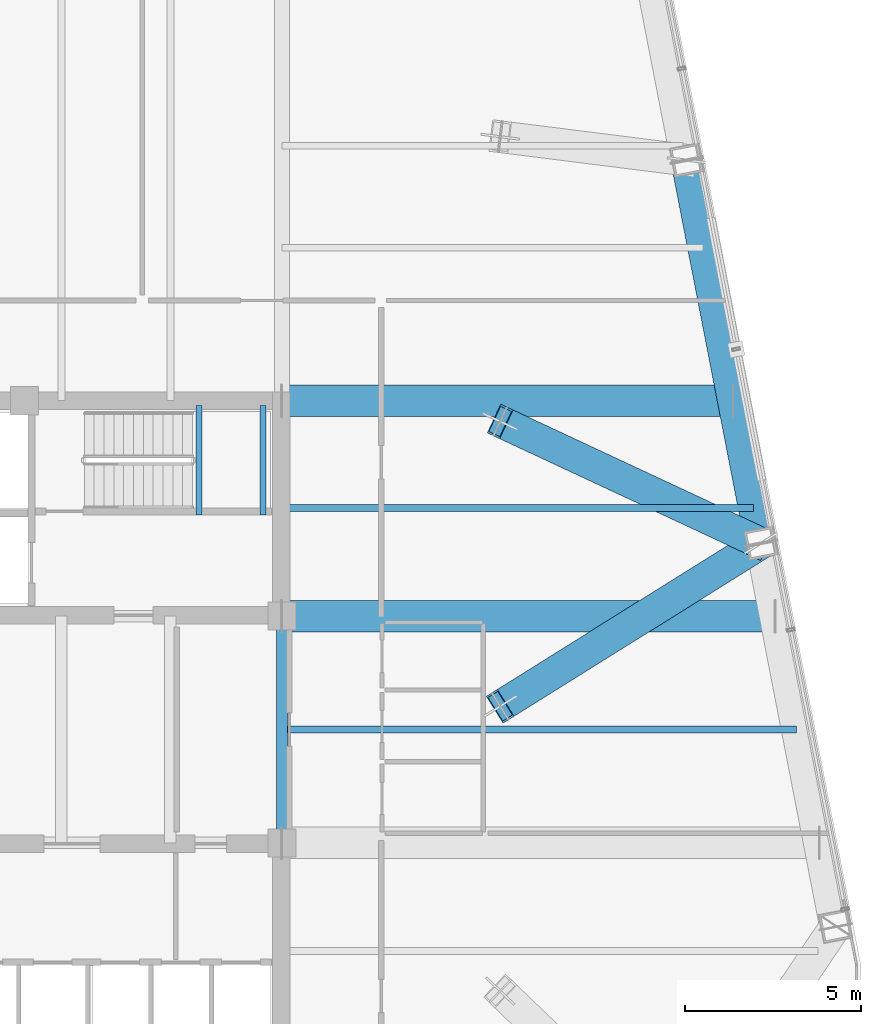
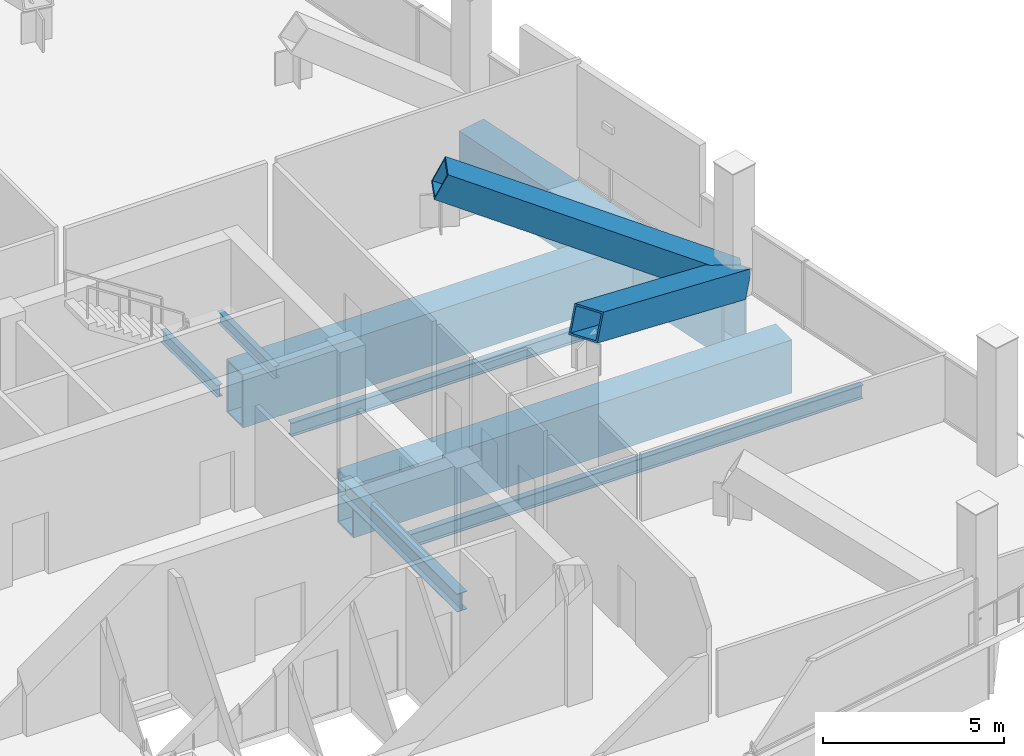
# One storey, part 9 of 26: 8 beams, 2 members.
"""IFC4 building model written with IfcOpenShell, lengths in metres."""

from ifc_helpers import new_model, si_unit, direction, frame, origin, origin_2d, place, context, subcontext, project, spatial, hollow_rectangle, i_section, extrude, material, material_profile, profile_set, type_object, element, save


model = new_model("IFC4")

# Units and contexts
model_context = context("Model", 3, precision=1e-05, world=origin(), true_north=direction((0.0, 1.0)))
body_context = subcontext(model_context, "Body", "Model", "MODEL_VIEW")
ifc_project = project(units=[si_unit("LENGTHUNIT", "METRE"), si_unit("AREAUNIT", "SQUARE_METRE"), si_unit("VOLUMEUNIT", "CUBIC_METRE"), si_unit("PLANEANGLEUNIT", "RADIAN"), si_unit("MASSUNIT", "GRAM", prefix="KILO")], contexts=[model_context])

# Site, building, storey
site_placement = place(None, origin())
site = spatial("IfcSite", under=ifc_project, at=site_placement, CompositionType="ELEMENT")
building_placement = place(site_placement, origin())
building = spatial("IfcBuilding", under=site, at=building_placement, Name="Qhalaya Broadcast Tower", CompositionType="ELEMENT")
storey_placement = place(building_placement, frame((0.0, 0.0, 140.25)))
storey = spatial("IfcBuildingStorey", under=building, at=storey_placement, Name="L41", CompositionType="ELEMENT", Elevation=140.25)

# Beams
ifc_material_1 = material(Name="Structural Steel ASTM A572 Grade 50", Category="steel")
ifc_material_profile_1 = material_profile(ifc_material_1, hollow_rectangle(XDim=0.89990234375, YDim=1.800048828125, WallThickness=0.06005859375, at=origin_2d()), Name="BOX 900x1800x60")
ifc_profile_set_1 = profile_set([ifc_material_profile_1], Name="Structural Steel ASTM A572 Grade 50")
beam_type_1 = type_object("IfcBeamType", Name="Block Cantilever Transfer Box Girder TG1", PredefinedType="USERDEFINED", material=ifc_profile_set_1)
beam_1_placement = place(storey_placement, frame((22.998291015625, 5.896484375, -1.1201171875), z_axis=(-0.190804900759, 0.981627979352, 0.0), x_axis=(-0.981627979352, -0.190804900759, 0.0)))
element("IfcBeam", 1, at=beam_1_placement, inside=storey, type_object=beam_type_1, Name="L41 TG1 L41-SPR-06", ObjectType="GIRDER", PredefinedType="USERDEFINED", context=body_context, shape_type="SweptSolid", body=[
    extrude(hollow_rectangle(XDim=0.89990234375, YDim=1.800048828125, WallThickness=0.06005859375, at=origin_2d()), origin(), (0.0, 0.0, 1.0), 11.099853515625),
])
beam_2_placement = place(storey_placement, frame((9.375, 3.824951171875, -1.1201171875), z_axis=(1.0, 0.0, 0.0), x_axis=(0.0, 1.0, 0.0)))
element("IfcBeam", 2, at=beam_2_placement, inside=storey, type_object=beam_type_1, Name="L41 TG1 L41-PGYE3-1", ObjectType="GIRDER", PredefinedType="USERDEFINED", context=body_context, shape_type="SweptSolid", body=[
    extrude(hollow_rectangle(XDim=0.89990234375, YDim=1.800048828125, WallThickness=0.06005859375, at=origin_2d()), origin(), (0.0, 0.0, 1.0), 14.005615234375),
])
beam_3_placement = place(storey_placement, frame((9.375, 9.949951171875, -1.1201171875), z_axis=(1.0, 0.0, 0.0), x_axis=(0.0, 1.0, 0.0)))
element("IfcBeam", 3, at=beam_3_placement, inside=storey, type_object=beam_type_1, Name="L41 TG1 L41-PGYE4-1", ObjectType="GIRDER", PredefinedType="USERDEFINED", context=body_context, shape_type="SweptSolid", body=[
    extrude(hollow_rectangle(XDim=0.89990234375, YDim=1.800048828125, WallThickness=0.06005859375, at=origin_2d()), origin(), (0.0, 0.0, 1.0), 12.815185546875),
])
ifc_material_2 = material(Name="Structural Steel ASTM A992 Grade 50", Category="steel")
ifc_material_profile_2 = material_profile(ifc_material_2, i_section(OverallWidth=0.19189453125, OverallDepth=0.462890625, WebThickness=0.010498046875, FlangeThickness=0.017578125, at=origin_2d()), Name="W18X60")
ifc_profile_set_2 = profile_set([ifc_material_profile_2], Name="Structural Steel ASTM A992 Grade 50")
beam_type_2 = type_object("IfcBeamType", Name="Composite Floor Joist J03", PredefinedType="JOIST", material=ifc_profile_set_2)
beam_4_placement = place(storey_placement, frame((9.375, 0.60009765625, -0.451416015625), z_axis=(1.0, 0.0, 0.0), x_axis=(0.0, 1.0, 0.0)))
element("IfcBeam", 4, at=beam_4_placement, inside=storey, type_object=beam_type_2, Name="L41 J03 L41-JWE4E-1", PredefinedType="JOIST", context=body_context, shape_type="SweptSolid", body=[
    extrude(i_section(OverallWidth=0.19189453125, OverallDepth=0.462890625, WebThickness=0.010498046875, FlangeThickness=0.017578125, at=origin_2d()), origin(), (0.0, 0.0, 1.0), 14.632568359375),
])
beam_5_placement = place(storey_placement, frame((9.375, 6.89990234375, -0.451416015625), z_axis=(1.0, 0.0, 0.0), x_axis=(0.0, 1.0, 0.0)))
element("IfcBeam", 5, at=beam_5_placement, inside=storey, type_object=beam_type_2, Name="L41 J03 L41-JWE5E-1", PredefinedType="JOIST", context=body_context, shape_type="SweptSolid", body=[
    extrude(i_section(OverallWidth=0.19189453125, OverallDepth=0.462890625, WebThickness=0.010498046875, FlangeThickness=0.017578125, at=origin_2d()), origin(), (0.0, 0.0, 1.0), 13.407958984375),
])
ifc_material_profile_3 = material_profile(ifc_material_2, i_section(OverallWidth=0.323974609375, OverallDepth=0.612060546875, WebThickness=0.0126953125, FlangeThickness=0.01904296875, at=origin_2d()), Name="W24X104")
ifc_profile_set_3 = profile_set([ifc_material_profile_3], Name="Structural Steel ASTM A992 Grade 50")
beam_type_3 = type_object("IfcBeamType", Name="Core Frame Tie Beam B04", PredefinedType="BEAM", material=ifc_profile_set_3)
beam_6_placement = place(storey_placement, frame((9.375, -2.625, -0.52587890625), z_axis=(0.0, 1.0, 0.0), x_axis=(-1.0, 0.0, 0.0)))
element("IfcBeam", 6, at=beam_6_placement, inside=storey, type_object=beam_type_3, Name="L41 B04 L41-CCE", PredefinedType="BEAM", context=body_context, shape_type="SweptSolid", body=[
    extrude(i_section(OverallWidth=0.323974609375, OverallDepth=0.612060546875, WebThickness=0.0126953125, FlangeThickness=0.01904296875, at=origin_2d()), origin(), (0.0, 0.0, 1.0), 6.449951171875),
])

# Members
ifc_material_profile_4 = material_profile(ifc_material_1, hollow_rectangle(XDim=0.89990234375, YDim=0.89990234375, WallThickness=0.054931640625, at=origin_2d()), Name="BOX 900x900x55")
ifc_profile_set_4 = profile_set([ifc_material_profile_4], Name="Structural Steel ASTM A572 Grade 50")
member_type = type_object("IfcMemberType", Name="Heavy Exoskeleton Transfer Strut RK1", PredefinedType="BRACE", material=ifc_profile_set_4)
member_1_placement = place(storey_placement, frame((22.998291015625, 5.896484375, 0.42041015625), z_axis=(-0.773531553111, -0.483466767324, 0.409766788839), x_axis=(0.530006465815, -0.847993600326, 0.0)))
element("IfcMember", 7, at=member_1_placement, inside=storey, type_object=member_type, Name="L41 Inclined Exoskeleton Transfer Strut 06", PredefinedType="BRACE", context=body_context, shape_type="SweptSolid", body=[
    extrude(hollow_rectangle(XDim=0.89990234375, YDim=0.89990234375, WallThickness=0.054931640625, at=origin_2d()), origin(), (0.0, 0.0, 1.0), 9.590087890625),
])
member_2_placement = place(storey_placement, frame((22.998291015625, 5.896484375, 0.41552734375), z_axis=(-0.816681680654, 0.38131522144, 0.43316248035), x_axis=(-0.423065033711, -0.90609931975, 0.0)))
element("IfcMember", 8, at=member_2_placement, inside=storey, type_object=member_type, Name="L41 Inclined Exoskeleton Transfer Strut 07", PredefinedType="BRACE", context=body_context, shape_type="SweptSolid", body=[
    extrude(hollow_rectangle(XDim=0.89990234375, YDim=0.89990234375, WallThickness=0.054931640625, at=origin_2d()), origin(), (0.0, 0.0, 1.0), 9.083251953125),
])

# Beams
ifc_material_profile_5 = material_profile(ifc_material_2, i_section(OverallWidth=0.177978515625, OverallDepth=0.406005859375, WebThickness=0.0078125, FlangeThickness=0.0126953125, at=origin_2d()), Name="W16X40")
ifc_profile_set_5 = profile_set([ifc_material_profile_5], Name="Structural Steel ASTM A992 Grade 50")
beam_type_4 = type_object("IfcBeamType", Name="Upper Perimeter Spandrel Beam SP2", PredefinedType="SPANDREL", material=ifc_profile_set_5)
for number, where, z_axis, x_axis, name in (
    (9, (7.014892578125, 6.699951171875, 1.77197265625), (0.0, 1.0, 0.0), (-1.0, 0.0, 0.0), "L41 ST-1 Half-Landing Bearer Beam 1"),
    (10, (8.830078125, 6.699951171875, 1.77197265625), (0.0, 1.0, 0.0), (-1.0, 0.0, 0.0), "L41 ST-1 Half-Landing Bearer Beam 2"),
):
    element("IfcBeam", number, at=place(storey_placement, frame(where, z_axis=z_axis, x_axis=x_axis)), inside=storey, type_object=beam_type_4, Name=name, PredefinedType="SPANDREL", context=body_context, shape_type="SweptSolid", body=[
        extrude(i_section(OverallWidth=0.177978515625, OverallDepth=0.406005859375, WebThickness=0.0078125, FlangeThickness=0.0126953125, at=origin_2d()), origin(), (0.0, 0.0, 1.0), 3.1201171875),
    ])

save(model, "model.ifc")
